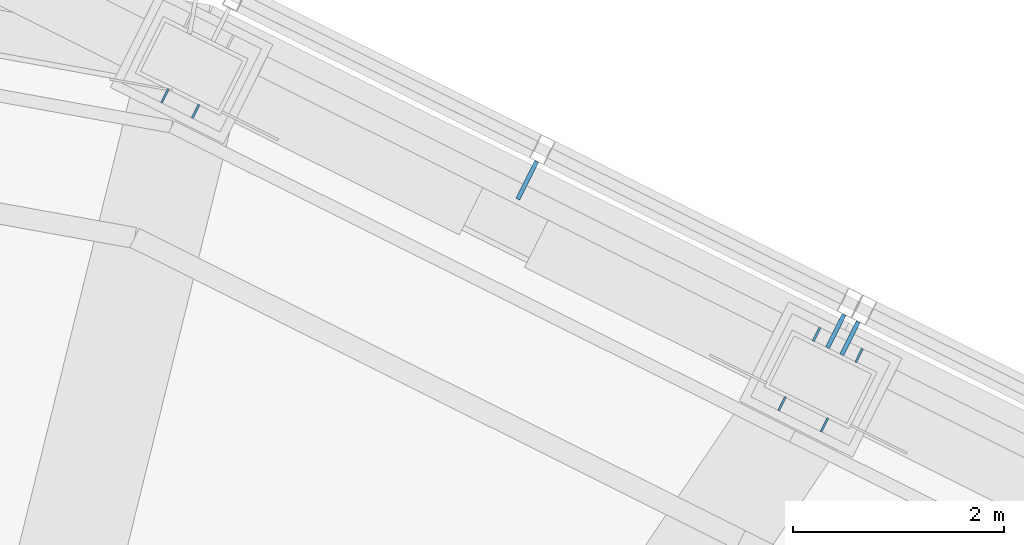
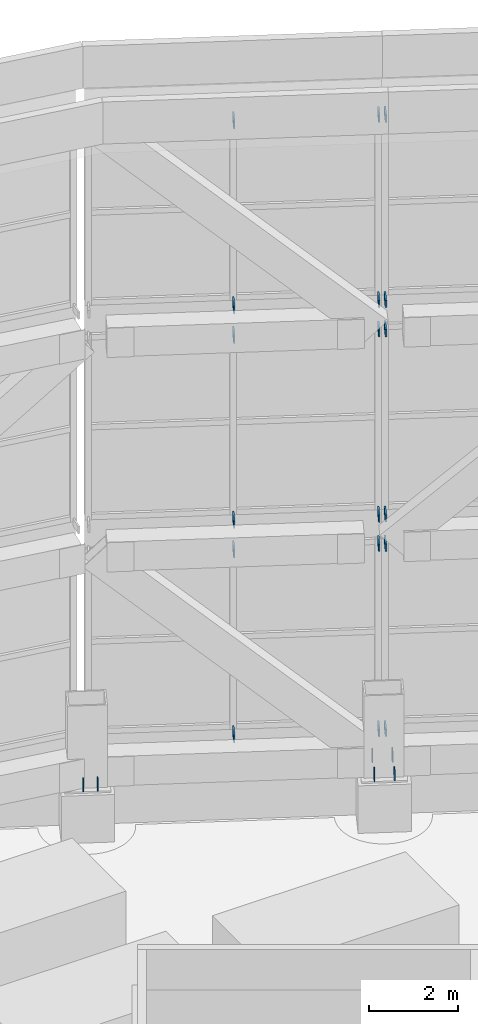
# One storey, part 41 of 46: 24 discrete accessories.
"""IFC4 building model written with IfcOpenShell, lengths in metres."""

from ifc_helpers import new_model, si_unit, direction, frame, origin, origin_2d, place, context, subcontext, project, spatial, rectangle, extrude, material, layer, layer_set, type_object, element, save


model = new_model("IFC4")

# Units and contexts
model_context = context("Model", 3, precision=1e-05, world=origin(), true_north=direction((0.0, 1.0)))
body_context = subcontext(model_context, "Body", "Model", "MODEL_VIEW")
ifc_project = project(units=[si_unit("LENGTHUNIT", "METRE"), si_unit("AREAUNIT", "SQUARE_METRE"), si_unit("VOLUMEUNIT", "CUBIC_METRE"), si_unit("PLANEANGLEUNIT", "RADIAN"), si_unit("MASSUNIT", "GRAM", prefix="KILO")], contexts=[model_context])

# Site, building, storey
site_placement = place(None, origin())
site = spatial("IfcSite", under=ifc_project, at=site_placement, CompositionType="ELEMENT")
building_placement = place(site_placement, origin())
building = spatial("IfcBuilding", under=site, at=building_placement, Name="Vanh Sen Convention Tower", CompositionType="ELEMENT")
storey_placement = place(building_placement, frame((0.0, 0.0, 305.0)))
storey = spatial("IfcBuildingStorey", under=building, at=storey_placement, Name="Roof level", CompositionType="ELEMENT", Elevation=305.0)

# Discrete accessories
ifc_material_1 = material(Name="Steel S355", Category="steel")
ifc_layer = layer(ifc_material_1, 0.02001953125)
ifc_layer_set = layer_set([ifc_layer], Name="Steel S355")
discrete_accessory_type_1 = type_object("IfcDiscreteAccessoryType", Name="Crown base plate stiffener 140 x 300 x 20", PredefinedType="USERDEFINED", material=ifc_layer_set)
for number, where, z_axis, x_axis, name in (
    (1, (10.214111328125, 15.50390625, 1.34521484375), (0.0, 0.0, 1.0), (-0.44619781311, -0.894934361602, 0.0), "STIFFENER crown column 05 rib 1"),
    (2, (10.616943359375, 15.302978515625, 1.34521484375), (0.0, 0.0, 1.0), (-0.44619781311, -0.894934361602, 0.0), "STIFFENER crown column 05 rib 2"),
    (3, (10.5419921875, 16.16162109375, 1.34521484375), (0.0, 0.0, 1.0), (-0.44619781311, -0.894934361602, 0.0), "STIFFENER crown column 05 rib 3"),
    (4, (10.94482421875, 15.9609375, 1.34521484375), (0.0, 0.0, 1.0), (-0.44619781311, -0.894934361602, 0.0), "STIFFENER crown column 05 rib 4"),
    (5, (4.36279296875, 18.421142578125, 1.34521484375), (0.0, 0.0, 1.0), (-0.44619781311, -0.894934361602, 0.0), "STIFFENER crown column 06 rib 1"),
    (6, (4.65380859375, 18.276123046875, 1.34521484375), (0.0, 0.0, 1.0), (-0.44619781311, -0.894934361602, 0.0), "STIFFENER crown column 06 rib 2"),
):
    element("IfcDiscreteAccessory", number, at=place(storey_placement, frame(where, z_axis=z_axis, x_axis=x_axis)), inside=storey, type_object=discrete_accessory_type_1, Name=name, ObjectType="STIFFENER", PredefinedType="USERDEFINED", context=body_context, shape_type="SweptSolid", body=[
        extrude(rectangle(XDim=0.14501953125, YDim=0.02001953125, at=origin_2d()), origin(), (0.0, 0.0, 1.0), 0.300048828125),
    ])
ifc_material_2 = material(Name="Steel S355", Category="steel")
discrete_accessory_type_2 = type_object("IfcDiscreteAccessoryType", Name="Crown screen bracket 40 x 200", PredefinedType="BRACKET", material=ifc_material_2)
for number, where, z_axis, x_axis, name in (
    (7, (10.858642578125, 16.1240234375, 2.044921875), (0.0, 0.0, 1.0), (0.446204060919, 0.894931246532, 0.0), "Crown screen bracket 04-1-3"),
    (8, (10.858642578125, 16.1240234375, 7.11328125), (0.0, 0.0, 1.0), (0.446204060919, 0.894931246532, 0.0), "Crown screen bracket 04-1-6"),
    (9, (10.858642578125, 16.1240234375, 7.9130859375), (0.0, 0.0, 1.0), (0.446204060919, 0.894931246532, 0.0), "Crown screen bracket 04-2-3"),
    (10, (10.858642578125, 16.1240234375, 12.98193359375), (0.0, 0.0, 1.0), (0.446204060919, 0.894931246532, 0.0), "Crown screen bracket 04-2-6"),
    (11, (10.858642578125, 16.1240234375, 13.78173828125), (0.0, 0.0, 1.0), (0.446204060919, 0.894931246532, 0.0), "Crown screen bracket 04-3-3"),
    (12, (10.858642578125, 16.1240234375, 18.85009765625), (0.0, 0.0, 1.0), (0.446204060919, 0.894931246532, 0.0), "Crown screen bracket 04-3-6"),
    (13, (10.724365234375, 16.19091796875, 2.044921875), (0.0, 0.0, 1.0), (0.446193127238, 0.894936697876, 0.0), "Crown screen bracket 05-1-1"),
):
    element("IfcDiscreteAccessory", number, at=place(storey_placement, frame(where, z_axis=z_axis, x_axis=x_axis)), inside=storey, type_object=discrete_accessory_type_2, Name=name, PredefinedType="BRACKET", context=body_context, shape_type="SweptSolid", body=[
        extrude(rectangle(XDim=0.35009765625, YDim=0.0400390625, at=origin_2d()), origin(), (0.0, 0.0, 1.0), 0.199951171875),
    ])
discrete_accessory_1_placement = place(storey_placement, frame((7.798583984375, 17.62158203125, 2.044921875), z_axis=(0.0, 0.0, 1.0), x_axis=(0.446193127238, 0.894936697876, 0.0)))
element("IfcDiscreteAccessory", 14, at=discrete_accessory_1_placement, inside=storey, type_object=discrete_accessory_type_2, Name="Crown screen bracket 05-1-2", PredefinedType="BRACKET", context=body_context, shape_type="SweptSolid", body=[
    extrude(rectangle(XDim=0.39990234375, YDim=0.0400390625, at=origin_2d()), origin(), (0.0, 0.0, 1.0), 0.199951171875),
])
discrete_accessory_2_placement = place(storey_placement, frame((10.724365234375, 16.19091796875, 7.11328125), z_axis=(0.0, 0.0, 1.0), x_axis=(0.446193127238, 0.894936697876, 0.0)))
element("IfcDiscreteAccessory", 15, at=discrete_accessory_2_placement, inside=storey, type_object=discrete_accessory_type_2, Name="Crown screen bracket 05-1-4", PredefinedType="BRACKET", context=body_context, shape_type="SweptSolid", body=[
    extrude(rectangle(XDim=0.35009765625, YDim=0.0400390625, at=origin_2d()), origin(), (0.0, 0.0, 1.0), 0.199951171875),
])
discrete_accessory_3_placement = place(storey_placement, frame((7.798583984375, 17.62158203125, 7.11328125), z_axis=(0.0, 0.0, 1.0), x_axis=(0.446193127238, 0.894936697876, 0.0)))
element("IfcDiscreteAccessory", 16, at=discrete_accessory_3_placement, inside=storey, type_object=discrete_accessory_type_2, Name="Crown screen bracket 05-1-5", PredefinedType="BRACKET", context=body_context, shape_type="SweptSolid", body=[
    extrude(rectangle(XDim=0.39990234375, YDim=0.0400390625, at=origin_2d()), origin(), (0.0, 0.0, 1.0), 0.199951171875),
])
discrete_accessory_4_placement = place(storey_placement, frame((10.724365234375, 16.19091796875, 7.9130859375), z_axis=(0.0, 0.0, 1.0), x_axis=(0.446193127238, 0.894936697876, 0.0)))
element("IfcDiscreteAccessory", 17, at=discrete_accessory_4_placement, inside=storey, type_object=discrete_accessory_type_2, Name="Crown screen bracket 05-2-1", PredefinedType="BRACKET", context=body_context, shape_type="SweptSolid", body=[
    extrude(rectangle(XDim=0.35009765625, YDim=0.0400390625, at=origin_2d()), origin(), (0.0, 0.0, 1.0), 0.199951171875),
])
discrete_accessory_5_placement = place(storey_placement, frame((7.798583984375, 17.62158203125, 7.9130859375), z_axis=(0.0, 0.0, 1.0), x_axis=(0.446193127238, 0.894936697876, 0.0)))
element("IfcDiscreteAccessory", 18, at=discrete_accessory_5_placement, inside=storey, type_object=discrete_accessory_type_2, Name="Crown screen bracket 05-2-2", PredefinedType="BRACKET", context=body_context, shape_type="SweptSolid", body=[
    extrude(rectangle(XDim=0.39990234375, YDim=0.0400390625, at=origin_2d()), origin(), (0.0, 0.0, 1.0), 0.199951171875),
])
discrete_accessory_6_placement = place(storey_placement, frame((10.724365234375, 16.19091796875, 12.98193359375), z_axis=(0.0, 0.0, 1.0), x_axis=(0.446193127238, 0.894936697876, 0.0)))
element("IfcDiscreteAccessory", 19, at=discrete_accessory_6_placement, inside=storey, type_object=discrete_accessory_type_2, Name="Crown screen bracket 05-2-4", PredefinedType="BRACKET", context=body_context, shape_type="SweptSolid", body=[
    extrude(rectangle(XDim=0.35009765625, YDim=0.0400390625, at=origin_2d()), origin(), (0.0, 0.0, 1.0), 0.199951171875),
])
discrete_accessory_7_placement = place(storey_placement, frame((7.798583984375, 17.62158203125, 12.98193359375), z_axis=(0.0, 0.0, 1.0), x_axis=(0.446193127238, 0.894936697876, 0.0)))
element("IfcDiscreteAccessory", 20, at=discrete_accessory_7_placement, inside=storey, type_object=discrete_accessory_type_2, Name="Crown screen bracket 05-2-5", PredefinedType="BRACKET", context=body_context, shape_type="SweptSolid", body=[
    extrude(rectangle(XDim=0.39990234375, YDim=0.0400390625, at=origin_2d()), origin(), (0.0, 0.0, 1.0), 0.199951171875),
])
discrete_accessory_8_placement = place(storey_placement, frame((10.724365234375, 16.19091796875, 13.78173828125), z_axis=(0.0, 0.0, 1.0), x_axis=(0.446193127238, 0.894936697876, 0.0)))
element("IfcDiscreteAccessory", 21, at=discrete_accessory_8_placement, inside=storey, type_object=discrete_accessory_type_2, Name="Crown screen bracket 05-3-1", PredefinedType="BRACKET", context=body_context, shape_type="SweptSolid", body=[
    extrude(rectangle(XDim=0.35009765625, YDim=0.0400390625, at=origin_2d()), origin(), (0.0, 0.0, 1.0), 0.199951171875),
])
discrete_accessory_9_placement = place(storey_placement, frame((7.798583984375, 17.62158203125, 13.78173828125), z_axis=(0.0, 0.0, 1.0), x_axis=(0.446193127238, 0.894936697876, 0.0)))
element("IfcDiscreteAccessory", 22, at=discrete_accessory_9_placement, inside=storey, type_object=discrete_accessory_type_2, Name="Crown screen bracket 05-3-2", PredefinedType="BRACKET", context=body_context, shape_type="SweptSolid", body=[
    extrude(rectangle(XDim=0.39990234375, YDim=0.0400390625, at=origin_2d()), origin(), (0.0, 0.0, 1.0), 0.199951171875),
])
discrete_accessory_10_placement = place(storey_placement, frame((10.724365234375, 16.19091796875, 18.85009765625), z_axis=(0.0, 0.0, 1.0), x_axis=(0.446193127238, 0.894936697876, 0.0)))
element("IfcDiscreteAccessory", 23, at=discrete_accessory_10_placement, inside=storey, type_object=discrete_accessory_type_2, Name="Crown screen bracket 05-3-4", PredefinedType="BRACKET", context=body_context, shape_type="SweptSolid", body=[
    extrude(rectangle(XDim=0.35009765625, YDim=0.0400390625, at=origin_2d()), origin(), (0.0, 0.0, 1.0), 0.199951171875),
])
discrete_accessory_11_placement = place(storey_placement, frame((7.798583984375, 17.62158203125, 18.85009765625), z_axis=(0.0, 0.0, 1.0), x_axis=(0.446193127238, 0.894936697876, 0.0)))
element("IfcDiscreteAccessory", 24, at=discrete_accessory_11_placement, inside=storey, type_object=discrete_accessory_type_2, Name="Crown screen bracket 05-3-5", PredefinedType="BRACKET", context=body_context, shape_type="SweptSolid", body=[
    extrude(rectangle(XDim=0.39990234375, YDim=0.0400390625, at=origin_2d()), origin(), (0.0, 0.0, 1.0), 0.199951171875),
])

save(model, "model.ifc")
